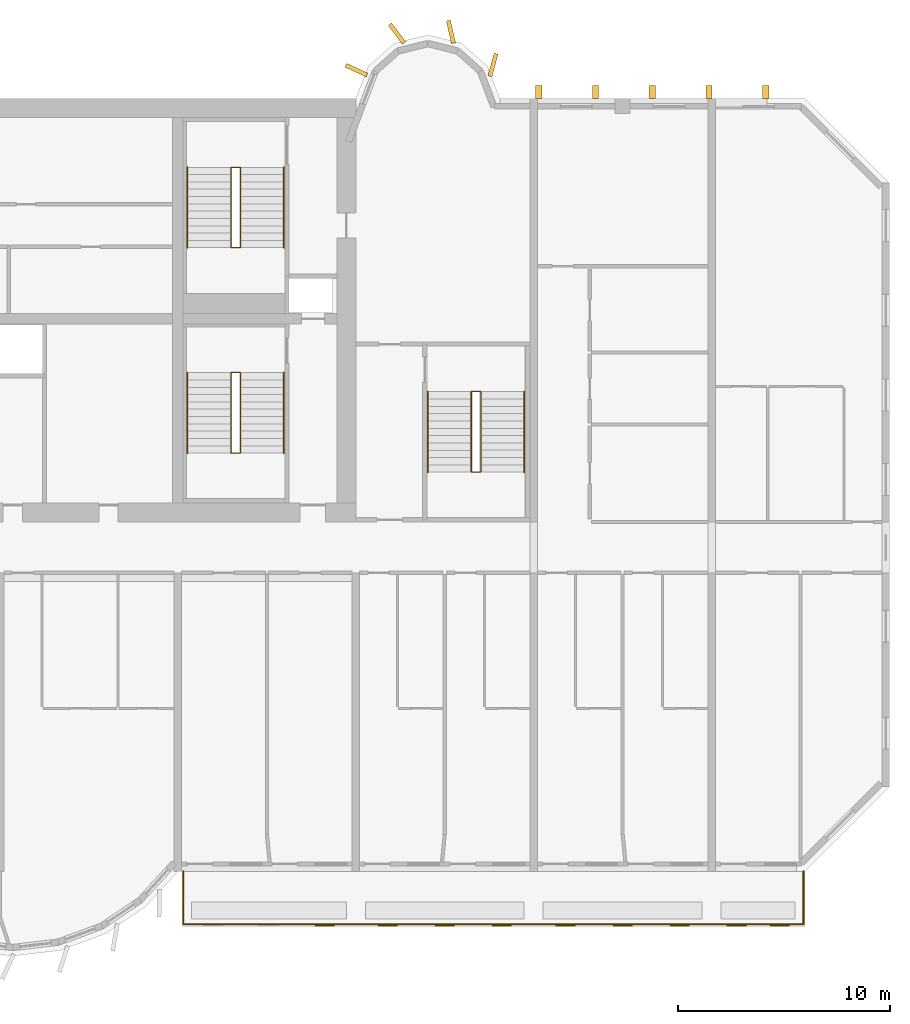
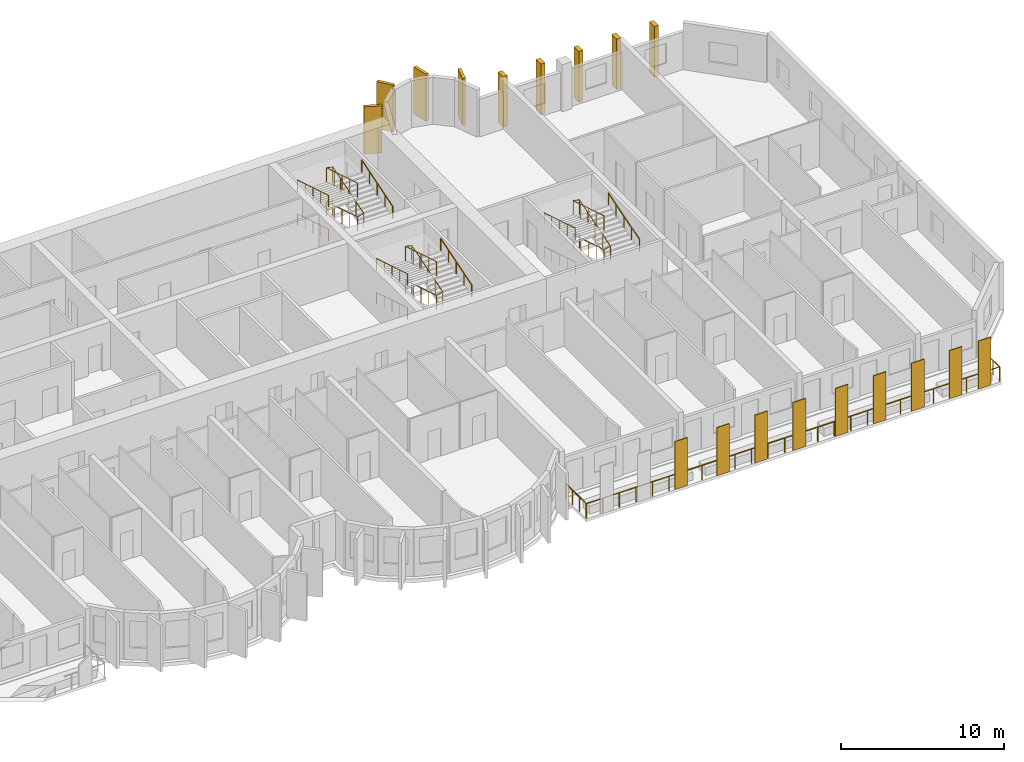
# One storey, part 13 of 14: 18 coverings, 13 railings.
"""IFC4 building model written with IfcOpenShell, lengths in metres."""

from ifc_helpers import new_model, si_unit, direction, frame, origin, origin_2d, place, context, subcontext, project, spatial, rectangle, circle, extrude, source, transform, mapped, material, layer, layer_set, material_profile, profile_set, type_object, element, save


model = new_model("IFC4")

# Units and contexts
model_context = context("Model", 3, precision=1e-05, world=origin(), true_north=direction((0.0, 1.0)))
body_context = subcontext(model_context, "Body", "Model", "MODEL_VIEW")
ifc_project = project(units=[si_unit("LENGTHUNIT", "METRE"), si_unit("AREAUNIT", "SQUARE_METRE"), si_unit("VOLUMEUNIT", "CUBIC_METRE"), si_unit("PLANEANGLEUNIT", "RADIAN"), si_unit("MASSUNIT", "GRAM", prefix="KILO")], contexts=[model_context])

# Site, building, storey
site_placement = place(None, origin())
site = spatial("IfcSite", under=ifc_project, at=site_placement, CompositionType="ELEMENT")
building_placement = place(site_placement, origin())
building = spatial("IfcBuilding", under=site, at=building_placement, Name="Vanashikhar Sky Hotel", CompositionType="ELEMENT")
storey_placement = place(building_placement, frame((0.0, 0.0, 125.60009765625)))
storey = spatial("IfcBuildingStorey", under=building, at=storey_placement, Name="L30", CompositionType="ELEMENT", Elevation=125.60009765625)

# Railing
ifc_material_1 = material(Name="Stainless steel 316", Category="steel")
railing_type_1 = type_object("IfcRailingType", Name="Balcony guard 1100", PredefinedType="GUARDRAIL", material=ifc_material_1)
shared_shape_1 = source(origin(), body_context, "Body", "SweptSolid", [
    extrude(circle(Radius=0.02392578125, at=origin_2d()), frame((0.0, 0.0, 1.076171875), z_axis=(0.0, -1.0, 0.0), x_axis=(1.0, 0.0, 0.0)), (0.0, 0.0, 1.0), 2.5),
    extrude(circle(Radius=0.02392578125, at=origin_2d()), frame((0.0, -2.5, 1.076171875), z_axis=(1.0, 0.0, 0.0), x_axis=(0.0, 1.0, 0.0)), (0.0, 0.0, 1.0), 29.280029296875),
    extrude(circle(Radius=0.02392578125, at=origin_2d()), frame((29.280029296875, -2.5, 1.076171875), z_axis=(0.0, 1.0, 0.0), x_axis=(-1.0, 0.0, 0.0)), (0.0, 0.0, 1.0), 2.5),
    extrude(circle(Radius=0.02099609375, at=origin_2d()), origin(), (0.0, 0.0, 1.0), 1.052001953125),
    extrude(circle(Radius=0.02099609375, at=origin_2d()), frame((0.0, -0.833251953125, 0.0)), (0.0, 0.0, 1.0), 1.052001953125),
    extrude(circle(Radius=0.02099609375, at=origin_2d()), frame((0.0, -1.666748046875, 0.0)), (0.0, 0.0, 1.0), 1.052001953125),
    extrude(circle(Radius=0.02099609375, at=origin_2d()), frame((0.0, -2.5, 0.0)), (0.0, 0.0, 1.0), 1.052001953125),
    extrude(circle(Radius=0.02099609375, at=origin_2d()), frame((1.171142578125, -2.5, 0.0)), (0.0, 0.0, 1.0), 1.052001953125),
    extrude(circle(Radius=0.02099609375, at=origin_2d()), frame((2.34228515625, -2.5, 0.0)), (0.0, 0.0, 1.0), 1.052001953125),
    extrude(circle(Radius=0.02099609375, at=origin_2d()), frame((3.513671875, -2.5, 0.0)), (0.0, 0.0, 1.0), 1.052001953125),
    extrude(circle(Radius=0.02099609375, at=origin_2d()), frame((4.684814453125, -2.5, 0.0)), (0.0, 0.0, 1.0), 1.052001953125),
    extrude(circle(Radius=0.02099609375, at=origin_2d()), frame((5.85595703125, -2.5, 0.0)), (0.0, 0.0, 1.0), 1.052001953125),
    extrude(circle(Radius=0.02099609375, at=origin_2d()), frame((7.027099609375, -2.5, 0.0)), (0.0, 0.0, 1.0), 1.052001953125),
    extrude(circle(Radius=0.02099609375, at=origin_2d()), frame((8.198486328125, -2.5, 0.0)), (0.0, 0.0, 1.0), 1.052001953125),
    extrude(circle(Radius=0.02099609375, at=origin_2d()), frame((9.36962890625, -2.5, 0.0)), (0.0, 0.0, 1.0), 1.052001953125),
    extrude(circle(Radius=0.02099609375, at=origin_2d()), frame((10.540771484375, -2.5, 0.0)), (0.0, 0.0, 1.0), 1.052001953125),
    extrude(circle(Radius=0.02099609375, at=origin_2d()), frame((11.7119140625, -2.5, 0.0)), (0.0, 0.0, 1.0), 1.052001953125),
    extrude(circle(Radius=0.02099609375, at=origin_2d()), frame((12.88330078125, -2.5, 0.0)), (0.0, 0.0, 1.0), 1.052001953125),
    extrude(circle(Radius=0.02099609375, at=origin_2d()), frame((14.054443359375, -2.5, 0.0)), (0.0, 0.0, 1.0), 1.052001953125),
    extrude(circle(Radius=0.02099609375, at=origin_2d()), frame((15.2255859375, -2.5, 0.0)), (0.0, 0.0, 1.0), 1.052001953125),
    extrude(circle(Radius=0.02099609375, at=origin_2d()), frame((16.396728515625, -2.5, 0.0)), (0.0, 0.0, 1.0), 1.052001953125),
    extrude(circle(Radius=0.02099609375, at=origin_2d()), frame((17.568115234375, -2.5, 0.0)), (0.0, 0.0, 1.0), 1.052001953125),
    extrude(circle(Radius=0.02099609375, at=origin_2d()), frame((18.7392578125, -2.5, 0.0)), (0.0, 0.0, 1.0), 1.052001953125),
    extrude(circle(Radius=0.02099609375, at=origin_2d()), frame((19.910400390625, -2.5, 0.0)), (0.0, 0.0, 1.0), 1.052001953125),
    extrude(circle(Radius=0.02099609375, at=origin_2d()), frame((21.08154296875, -2.5, 0.0)), (0.0, 0.0, 1.0), 1.052001953125),
    extrude(circle(Radius=0.02099609375, at=origin_2d()), frame((22.2529296875, -2.5, 0.0)), (0.0, 0.0, 1.0), 1.052001953125),
    extrude(circle(Radius=0.02099609375, at=origin_2d()), frame((23.424072265625, -2.5, 0.0)), (0.0, 0.0, 1.0), 1.052001953125),
    extrude(circle(Radius=0.02099609375, at=origin_2d()), frame((24.59521484375, -2.5, 0.0)), (0.0, 0.0, 1.0), 1.052001953125),
    extrude(circle(Radius=0.02099609375, at=origin_2d()), frame((25.766357421875, -2.5, 0.0)), (0.0, 0.0, 1.0), 1.052001953125),
    extrude(circle(Radius=0.02099609375, at=origin_2d()), frame((26.937744140625, -2.5, 0.0)), (0.0, 0.0, 1.0), 1.052001953125),
    extrude(circle(Radius=0.02099609375, at=origin_2d()), frame((28.10888671875, -2.5, 0.0)), (0.0, 0.0, 1.0), 1.052001953125),
    extrude(circle(Radius=0.02099609375, at=origin_2d()), frame((29.280029296875, -2.5, 0.0)), (0.0, 0.0, 1.0), 1.052001953125),
    extrude(circle(Radius=0.02099609375, at=origin_2d()), frame((29.280029296875, -1.666748046875, 0.0)), (0.0, 0.0, 1.0), 1.052001953125),
    extrude(circle(Radius=0.02099609375, at=origin_2d()), frame((29.280029296875, -0.833251953125, 0.0)), (0.0, 0.0, 1.0), 1.052001953125),
    extrude(circle(Radius=0.02099609375, at=origin_2d()), frame((29.280029296875, 0.0, 0.0)), (0.0, 0.0, 1.0), 1.052001953125),
])
railing_1_placement = place(storey_placement, frame((67.4599609375, 5.5, -0.050048828125)))
element("IfcRailing", 1, at=railing_1_placement, inside=storey, type_object=railing_type_1, Name="Balcony guard", PredefinedType="GUARDRAIL", context=body_context, shape_type="MappedRepresentation", body=[
    mapped(shared_shape_1, transform((0.0, 0.0, 0.0), scale=1.0)),
])

# Coverings
ifc_material_2 = material(Name="Terracotta", Category="masonry")
ifc_layer = layer(ifc_material_2, 0.06005859375)
ifc_layer_set = layer_set([ifc_layer], Name="Terracotta baguette screen")
covering_type_1 = type_object("IfcCoveringType", Name="Terracotta baguette screen", PredefinedType="CLADDING", material=ifc_layer_set)
shared_shape_2 = source(origin(), body_context, "Body", "SweptSolid", [
    extrude(rectangle(XDim=0.89990234375, YDim=0.06005859375, at=origin_2d()), origin(), (0.0, 0.0, 1.0), 3.60009765625),
])
for number, where, z_axis, x_axis, name in (
    (2, (74.13330078125, 2.929931640625, -0.050048828125), (0.0, 0.0, 1.0), (1.0, 0.0, 0.0), "Terracotta screen"),
    (3, (77.10009765625, 2.929931640625, -0.050048828125), (0.0, 0.0, 1.0), (1.0, 0.0, 0.0), "Terracotta screen"),
    (4, (79.800048828125, 2.929931640625, -0.050048828125), (0.0, 0.0, 1.0), (1.0, 0.0, 0.0), "Terracotta screen"),
    (5, (82.5, 2.929931640625, -0.050048828125), (0.0, 0.0, 1.0), (1.0, 0.0, 0.0), "Terracotta screen"),
    (6, (85.5, 2.929931640625, -0.050048828125), (0.0, 0.0, 1.0), (1.0, 0.0, 0.0), "Terracotta screen"),
    (7, (88.199951171875, 2.929931640625, -0.050048828125), (0.0, 0.0, 1.0), (1.0, 0.0, 0.0), "Terracotta screen"),
    (8, (90.89990234375, 2.929931640625, -0.050048828125), (0.0, 0.0, 1.0), (1.0, 0.0, 0.0), "Terracotta screen"),
    (9, (93.574951171875, 2.929931640625, -0.050048828125), (0.0, 0.0, 1.0), (1.0, 0.0, 0.0), "Terracotta screen"),
    (10, (95.625, 2.929931640625, -0.050048828125), (0.0, 0.0, 1.0), (1.0, 0.0, 0.0), "Terracotta screen"),
):
    element("IfcCovering", number, at=place(storey_placement, frame(where, z_axis=z_axis, x_axis=x_axis)), inside=storey, type_object=covering_type_1, Name=name, PredefinedType="CLADDING", context=body_context, shape_type="MappedRepresentation", body=[
        mapped(shared_shape_2, transform((0.0, 0.0, 0.0), scale=1.0)),
    ])
ifc_material_3 = material(Name="Concrete M60 dark", Category="concrete")
ifc_material_profile_1 = material_profile(ifc_material_3, rectangle(XDim=1.10009765625, YDim=0.199951171875, at=origin_2d()))
ifc_profile_set_1 = profile_set([ifc_material_profile_1], Name="Rear lobe fin 1100 x 200")
covering_type_2 = type_object("IfcCoveringType", Name="Rear lobe fin 1100 x 200", PredefinedType="CLADDING", material=ifc_profile_set_1)
shared_shape_3 = source(origin(), body_context, "Body", "SweptSolid", [
    extrude(rectangle(XDim=1.10009765625, YDim=0.199951171875, at=origin_2d()), origin(), (0.0, 0.0, 1.0), 3.52001953125),
])
for number, where, z_axis, x_axis, name in (
    (11, (75.63037109375, 43.33447265625, 0.0), (0.0, 0.0, 1.0), (-0.908004291068, 0.418960866193, 0.0), "Fin R2-1"),
    (12, (77.5380859375, 45.06640625, 0.0), (0.0, 0.0, 1.0), (-0.602065892195, 0.798446404874, 0.0), "Fin R2-2"),
    (13, (80.08984375, 45.1455078125, 0.0), (0.0, 0.0, 1.0), (-0.224644935864, 0.974440687159, 0.0), "Fin R2-3"),
    (14, (82.0791015625, 43.580078125, 0.0), (0.0, 0.0, 1.0), (0.262711264409, 0.964874495234, 0.0), "Fin R2-4"),
):
    element("IfcCovering", number, at=place(storey_placement, frame(where, z_axis=z_axis, x_axis=x_axis)), inside=storey, type_object=covering_type_2, Name=name, PredefinedType="CLADDING", context=body_context, shape_type="MappedRepresentation", body=[
        mapped(shared_shape_3, transform((0.0, 0.0, 0.0), scale=1.0)),
    ])
ifc_material_profile_2 = material_profile(ifc_material_3, rectangle(XDim=0.60009765625, YDim=0.300048828125, at=origin_2d()))
ifc_profile_set_2 = profile_set([ifc_material_profile_2], Name="Rear rib 600 x 300")
covering_type_3 = type_object("IfcCoveringType", Name="Rear rib 600 x 300", PredefinedType="CLADDING", material=ifc_profile_set_2)
shared_shape_4 = source(origin(), body_context, "Body", "SweptSolid", [
    extrude(rectangle(XDim=0.60009765625, YDim=0.300048828125, at=origin_2d()), origin(), (0.0, 0.0, 1.0), 3.800048828125),
])
for number, where, z_axis, x_axis, name in (
    (15, (84.239990234375, 42.300048828125, -0.280029296875), (0.0, 0.0, 1.0), (0.0, 1.0, 0.0), "Rear rib"),
    (16, (86.919921875, 42.300048828125, -0.280029296875), (0.0, 0.0, 1.0), (0.0, 1.0, 0.0), "Rear rib"),
    (17, (89.60009765625, 42.300048828125, -0.280029296875), (0.0, 0.0, 1.0), (0.0, 1.0, 0.0), "Rear rib"),
    (18, (92.280029296875, 42.300048828125, -0.280029296875), (0.0, 0.0, 1.0), (0.0, 1.0, 0.0), "Rear rib"),
    (19, (94.9599609375, 42.300048828125, -0.280029296875), (0.0, 0.0, 1.0), (0.0, 1.0, 0.0), "Rear rib"),
):
    element("IfcCovering", number, at=place(storey_placement, frame(where, z_axis=z_axis, x_axis=x_axis)), inside=storey, type_object=covering_type_3, Name=name, PredefinedType="CLADDING", context=body_context, shape_type="MappedRepresentation", body=[
        mapped(shared_shape_4, transform((0.0, 0.0, 0.0), scale=1.0)),
    ])

# Railings
ifc_material_4 = material(Name="Steel S355", Category="steel")
railing_type_2 = type_object("IfcRailingType", Name="Stair handrail 900", PredefinedType="HANDRAIL", material=ifc_material_4)
shared_shape_5 = source(origin(), body_context, "Body", "SweptSolid", [
    extrude(circle(Radius=0.02392578125, at=origin_2d()), frame((0.0, 0.0, 0.8759765625), z_axis=(0.0, 0.95635109408, 0.292220096591), x_axis=(-1.0, 0.0, 0.0)), (0.0, 0.0, 1.0), 3.973388671875),
    extrude(circle(Radius=0.02099609375, at=origin_2d()), origin(), (0.0, 0.0, 1.0), 0.851806640625),
    extrude(circle(Radius=0.02099609375, at=origin_2d()), frame((0.0, 0.949951171875, 0.290283203125)), (0.0, 0.0, 1.0), 0.851806640625),
    extrude(circle(Radius=0.02099609375, at=origin_2d()), frame((0.0, 1.89990234375, 0.58056640625)), (0.0, 0.0, 1.0), 0.851806640625),
    extrude(circle(Radius=0.02099609375, at=origin_2d()), frame((0.0, 2.85009765625, 0.870849609375)), (0.0, 0.0, 1.0), 0.851806640625),
    extrude(circle(Radius=0.02099609375, at=origin_2d()), frame((0.0, 3.800048828125, 1.1611328125)), (0.0, 0.0, 1.0), 0.851806640625),
])
for number, where, name in (
    (20, (72.199951171875, 25.25, 1.3720703125), "Exit stair 2 handrail"),
    (21, (72.199951171875, 34.949951171875, 1.3720703125), "Exit stair 6 handrail"),
):
    element("IfcRailing", number, at=place(storey_placement, frame(where)), inside=storey, type_object=railing_type_2, Name=name, PredefinedType="HANDRAIL", context=body_context, shape_type="MappedRepresentation", body=[
        mapped(shared_shape_5, transform((0.0, 0.0, 0.0), scale=1.0)),
    ])
shared_shape_6 = source(origin(), body_context, "Body", "SweptSolid", [
    extrude(circle(Radius=0.02392578125, at=origin_2d()), frame((0.0, 0.0, 0.8759765625), z_axis=(0.0, -0.95635109408, 0.292220096591), x_axis=(1.0, 0.0, 0.0)), (0.0, 0.0, 1.0), 3.973388671875),
    extrude(circle(Radius=0.02099609375, at=origin_2d()), origin(), (0.0, 0.0, 1.0), 0.851806640625),
    extrude(circle(Radius=0.02099609375, at=origin_2d()), frame((0.0, -0.949951171875, 0.290283203125)), (0.0, 0.0, 1.0), 0.851806640625),
    extrude(circle(Radius=0.02099609375, at=origin_2d()), frame((0.0, -1.89990234375, 0.58056640625)), (0.0, 0.0, 1.0), 0.851806640625),
    extrude(circle(Radius=0.02099609375, at=origin_2d()), frame((0.0, -2.85009765625, 0.870849609375)), (0.0, 0.0, 1.0), 0.851806640625),
    extrude(circle(Radius=0.02099609375, at=origin_2d()), frame((0.0, -3.800048828125, 1.1611328125)), (0.0, 0.0, 1.0), 0.851806640625),
])
for number, where, name in (
    (22, (67.64990234375, 29.050048828125, 0.10546875), "Exit stair 2 handrail"),
    (23, (67.64990234375, 29.050048828125, 2.638671875), "Exit stair 2 handrail"),
    (24, (67.64990234375, 38.75, 0.10546875), "Exit stair 6 handrail"),
    (25, (67.64990234375, 38.75, 2.638671875), "Exit stair 6 handrail"),
):
    element("IfcRailing", number, at=place(storey_placement, frame(where)), inside=storey, type_object=railing_type_2, Name=name, PredefinedType="HANDRAIL", context=body_context, shape_type="MappedRepresentation", body=[
        mapped(shared_shape_6, transform((0.0, 0.0, 0.0), scale=1.0)),
    ])
railing_type_3 = type_object("IfcRailingType", Name="Stair guard 1100", PredefinedType="GUARDRAIL", material=ifc_material_4)
shared_shape_7 = source(origin(), body_context, "Body", "SweptSolid", [
    extrude(circle(Radius=0.02392578125, at=origin_2d()), frame((0.0, 0.0, 1.076171875), z_axis=(-0.973610808694, 0.0, 0.228214796178), x_axis=(0.0, -1.0, 0.0)), (0.0, 0.0, 1.0), 0.462158203125),
    extrude(circle(Radius=0.02392578125, at=origin_2d()), frame((-0.449951171875, 0.0, 1.181640625), z_axis=(0.0, -0.95635109408, 0.292220096591), x_axis=(1.0, 0.0, 0.0)), (0.0, 0.0, 1.0), 3.973388671875),
    extrude(circle(Radius=0.02392578125, at=origin_2d()), frame((-0.449951171875, -3.800048828125, 2.3427734375), z_axis=(0.973610808694, 0.0, 0.228214796178), x_axis=(0.0, 1.0, 0.0)), (0.0, 0.0, 1.0), 0.462158203125),
    extrude(circle(Radius=0.02392578125, at=origin_2d()), frame((0.0, -3.800048828125, 2.4482421875), z_axis=(0.0, 0.95635109408, 0.292220096591), x_axis=(-1.0, 0.0, 0.0)), (0.0, 0.0, 1.0), 3.973388671875),
    extrude(circle(Radius=0.02392578125, at=origin_2d()), frame((0.0, 0.0, 3.609375), z_axis=(-0.973610808694, 0.0, 0.228214796178), x_axis=(0.0, -1.0, 0.0)), (0.0, 0.0, 1.0), 0.462158203125),
    extrude(circle(Radius=0.02392578125, at=origin_2d()), frame((-0.449951171875, 0.0, 3.71484375), z_axis=(0.0, -0.95635109408, 0.292220096591), x_axis=(1.0, 0.0, 0.0)), (0.0, 0.0, 1.0), 3.973388671875),
    extrude(circle(Radius=0.02099609375, at=origin_2d()), origin(), (0.0, 0.0, 1.0), 1.052001953125),
    extrude(circle(Radius=0.02099609375, at=origin_2d()), frame((-0.449951171875, 0.0, 0.10546875)), (0.0, 0.0, 1.0), 1.052001953125),
    extrude(circle(Radius=0.02099609375, at=origin_2d()), frame((-0.449951171875, -0.949951171875, 0.395751953125)), (0.0, 0.0, 1.0), 1.052001953125),
    extrude(circle(Radius=0.02099609375, at=origin_2d()), frame((-0.449951171875, -1.89990234375, 0.68603515625)), (0.0, 0.0, 1.0), 1.052001953125),
    extrude(circle(Radius=0.02099609375, at=origin_2d()), frame((-0.449951171875, -2.85009765625, 0.976318359375)), (0.0, 0.0, 1.0), 1.052001953125),
    extrude(circle(Radius=0.02099609375, at=origin_2d()), frame((-0.449951171875, -3.800048828125, 1.2666015625)), (0.0, 0.0, 1.0), 1.052001953125),
    extrude(circle(Radius=0.02099609375, at=origin_2d()), frame((0.0, -3.800048828125, 1.3720703125)), (0.0, 0.0, 1.0), 1.052001953125),
    extrude(circle(Radius=0.02099609375, at=origin_2d()), frame((0.0, -2.85009765625, 1.662353515625)), (0.0, 0.0, 1.0), 1.052001953125),
    extrude(circle(Radius=0.02099609375, at=origin_2d()), frame((0.0, -1.89990234375, 1.95263671875)), (0.0, 0.0, 1.0), 1.052001953125),
    extrude(circle(Radius=0.02099609375, at=origin_2d()), frame((0.0, -0.949951171875, 2.242919921875)), (0.0, 0.0, 1.0), 1.052001953125),
    extrude(circle(Radius=0.02099609375, at=origin_2d()), frame((0.0, 0.0, 2.533203125)), (0.0, 0.0, 1.0), 1.052001953125),
    extrude(circle(Radius=0.02099609375, at=origin_2d()), frame((-0.449951171875, 0.0, 2.638671875)), (0.0, 0.0, 1.0), 1.052001953125),
    extrude(circle(Radius=0.02099609375, at=origin_2d()), frame((-0.449951171875, -0.949951171875, 2.928955078125)), (0.0, 0.0, 1.0), 1.052001953125),
    extrude(circle(Radius=0.02099609375, at=origin_2d()), frame((-0.449951171875, -1.89990234375, 3.21923828125)), (0.0, 0.0, 1.0), 1.052001953125),
    extrude(circle(Radius=0.02099609375, at=origin_2d()), frame((-0.449951171875, -2.85009765625, 3.509521484375)), (0.0, 0.0, 1.0), 1.052001953125),
    extrude(circle(Radius=0.02099609375, at=origin_2d()), frame((-0.449951171875, -3.800048828125, 3.7998046875)), (0.0, 0.0, 1.0), 1.052001953125),
])
for number, where, name in (
    (26, (70.14990234375, 29.050048828125, 0.0), "Exit stair 2 guard"),
    (27, (70.14990234375, 38.75, 0.0), "Exit stair 6 guard"),
):
    element("IfcRailing", number, at=place(storey_placement, frame(where)), inside=storey, type_object=railing_type_3, Name=name, PredefinedType="GUARDRAIL", context=body_context, shape_type="MappedRepresentation", body=[
        mapped(shared_shape_7, transform((0.0, 0.0, 0.0), scale=1.0)),
    ])
shared_shape_8 = source(origin(), body_context, "Body", "SweptSolid", [
    extrude(circle(Radius=0.02392578125, at=origin_2d()), frame((0.0, 0.0, 0.8759765625), z_axis=(0.0, 0.956345846891, 0.292237268557), x_axis=(-1.0, 0.0, 0.0)), (0.0, 0.0, 1.0), 3.97314453125),
    extrude(circle(Radius=0.02099609375, at=origin_2d()), origin(), (0.0, 0.0, 1.0), 0.851806640625),
    extrude(circle(Radius=0.02099609375, at=origin_2d()), frame((0.0, 0.949951171875, 0.290283203125)), (0.0, 0.0, 1.0), 0.851806640625),
    extrude(circle(Radius=0.02099609375, at=origin_2d()), frame((0.0, 1.89990234375, 0.58056640625)), (0.0, 0.0, 1.0), 0.851806640625),
    extrude(circle(Radius=0.02099609375, at=origin_2d()), frame((0.0, 2.849853515625, 0.870849609375)), (0.0, 0.0, 1.0), 0.851806640625),
    extrude(circle(Radius=0.02099609375, at=origin_2d()), frame((0.0, 3.7998046875, 1.1611328125)), (0.0, 0.0, 1.0), 0.851806640625),
])
railing_2_placement = place(storey_placement, frame((83.550048828125, 24.35009765625, 1.3720703125)))
element("IfcRailing", 28, at=railing_2_placement, inside=storey, type_object=railing_type_2, Name="Exit stair 4 handrail", PredefinedType="HANDRAIL", context=body_context, shape_type="MappedRepresentation", body=[
    mapped(shared_shape_8, transform((0.0, 0.0, 0.0), scale=1.0)),
])
shared_shape_9 = source(origin(), body_context, "Body", "SweptSolid", [
    extrude(circle(Radius=0.02392578125, at=origin_2d()), frame((0.0, 0.0, 0.8759765625), z_axis=(0.0, -0.956345846891, 0.292237268557), x_axis=(1.0, 0.0, 0.0)), (0.0, 0.0, 1.0), 3.97314453125),
    extrude(circle(Radius=0.02099609375, at=origin_2d()), origin(), (0.0, 0.0, 1.0), 0.851806640625),
    extrude(circle(Radius=0.02099609375, at=origin_2d()), frame((0.0, -0.949951171875, 0.290283203125)), (0.0, 0.0, 1.0), 0.851806640625),
    extrude(circle(Radius=0.02099609375, at=origin_2d()), frame((0.0, -1.89990234375, 0.58056640625)), (0.0, 0.0, 1.0), 0.851806640625),
    extrude(circle(Radius=0.02099609375, at=origin_2d()), frame((0.0, -2.849853515625, 0.870849609375)), (0.0, 0.0, 1.0), 0.851806640625),
    extrude(circle(Radius=0.02099609375, at=origin_2d()), frame((0.0, -3.7998046875, 1.1611328125)), (0.0, 0.0, 1.0), 0.851806640625),
])
for number, where, name in (
    (29, (79.0, 28.14990234375, 0.10546875), "Exit stair 4 handrail"),
    (30, (79.0, 28.14990234375, 2.638671875), "Exit stair 4 handrail"),
):
    element("IfcRailing", number, at=place(storey_placement, frame(where)), inside=storey, type_object=railing_type_2, Name=name, PredefinedType="HANDRAIL", context=body_context, shape_type="MappedRepresentation", body=[
        mapped(shared_shape_9, transform((0.0, 0.0, 0.0), scale=1.0)),
    ])
shared_shape_10 = source(origin(), body_context, "Body", "SweptSolid", [
    extrude(circle(Radius=0.02392578125, at=origin_2d()), frame((0.0, 0.0, 1.076171875), z_axis=(-0.973610808694, 0.0, 0.228214796178), x_axis=(0.0, -1.0, 0.0)), (0.0, 0.0, 1.0), 0.462158203125),
    extrude(circle(Radius=0.02392578125, at=origin_2d()), frame((-0.449951171875, 0.0, 1.181640625), z_axis=(0.0, -0.956345846891, 0.292237268557), x_axis=(1.0, 0.0, 0.0)), (0.0, 0.0, 1.0), 3.97314453125),
    extrude(circle(Radius=0.02392578125, at=origin_2d()), frame((-0.449951171875, -3.7998046875, 2.3427734375), z_axis=(0.973610808694, 0.0, 0.228214796178), x_axis=(0.0, 1.0, 0.0)), (0.0, 0.0, 1.0), 0.462158203125),
    extrude(circle(Radius=0.02392578125, at=origin_2d()), frame((0.0, -3.7998046875, 2.4482421875), z_axis=(0.0, 0.956345846891, 0.292237268557), x_axis=(-1.0, 0.0, 0.0)), (0.0, 0.0, 1.0), 3.97314453125),
    extrude(circle(Radius=0.02392578125, at=origin_2d()), frame((0.0, 0.0, 3.609375), z_axis=(-0.973610808694, 0.0, 0.228214796178), x_axis=(0.0, -1.0, 0.0)), (0.0, 0.0, 1.0), 0.462158203125),
    extrude(circle(Radius=0.02392578125, at=origin_2d()), frame((-0.449951171875, 0.0, 3.71484375), z_axis=(0.0, -0.956345846891, 0.292237268557), x_axis=(1.0, 0.0, 0.0)), (0.0, 0.0, 1.0), 3.97314453125),
    extrude(circle(Radius=0.02099609375, at=origin_2d()), origin(), (0.0, 0.0, 1.0), 1.052001953125),
    extrude(circle(Radius=0.02099609375, at=origin_2d()), frame((-0.449951171875, 0.0, 0.10546875)), (0.0, 0.0, 1.0), 1.052001953125),
    extrude(circle(Radius=0.02099609375, at=origin_2d()), frame((-0.449951171875, -0.949951171875, 0.395751953125)), (0.0, 0.0, 1.0), 1.052001953125),
    extrude(circle(Radius=0.02099609375, at=origin_2d()), frame((-0.449951171875, -1.89990234375, 0.68603515625)), (0.0, 0.0, 1.0), 1.052001953125),
    extrude(circle(Radius=0.02099609375, at=origin_2d()), frame((-0.449951171875, -2.849853515625, 0.976318359375)), (0.0, 0.0, 1.0), 1.052001953125),
    extrude(circle(Radius=0.02099609375, at=origin_2d()), frame((-0.449951171875, -3.7998046875, 1.2666015625)), (0.0, 0.0, 1.0), 1.052001953125),
    extrude(circle(Radius=0.02099609375, at=origin_2d()), frame((0.0, -3.7998046875, 1.3720703125)), (0.0, 0.0, 1.0), 1.052001953125),
    extrude(circle(Radius=0.02099609375, at=origin_2d()), frame((0.0, -2.849853515625, 1.662353515625)), (0.0, 0.0, 1.0), 1.052001953125),
    extrude(circle(Radius=0.02099609375, at=origin_2d()), frame((0.0, -1.89990234375, 1.95263671875)), (0.0, 0.0, 1.0), 1.052001953125),
    extrude(circle(Radius=0.02099609375, at=origin_2d()), frame((0.0, -0.949951171875, 2.242919921875)), (0.0, 0.0, 1.0), 1.052001953125),
    extrude(circle(Radius=0.02099609375, at=origin_2d()), frame((0.0, 0.0, 2.533203125)), (0.0, 0.0, 1.0), 1.052001953125),
    extrude(circle(Radius=0.02099609375, at=origin_2d()), frame((-0.449951171875, 0.0, 2.638671875)), (0.0, 0.0, 1.0), 1.052001953125),
    extrude(circle(Radius=0.02099609375, at=origin_2d()), frame((-0.449951171875, -0.949951171875, 2.928955078125)), (0.0, 0.0, 1.0), 1.052001953125),
    extrude(circle(Radius=0.02099609375, at=origin_2d()), frame((-0.449951171875, -1.89990234375, 3.21923828125)), (0.0, 0.0, 1.0), 1.052001953125),
    extrude(circle(Radius=0.02099609375, at=origin_2d()), frame((-0.449951171875, -2.849853515625, 3.509521484375)), (0.0, 0.0, 1.0), 1.052001953125),
    extrude(circle(Radius=0.02099609375, at=origin_2d()), frame((-0.449951171875, -3.7998046875, 3.7998046875)), (0.0, 0.0, 1.0), 1.052001953125),
])
railing_3_placement = place(storey_placement, frame((81.5, 28.14990234375, 0.0)))
element("IfcRailing", 31, at=railing_3_placement, inside=storey, type_object=railing_type_3, Name="Exit stair 4 guard", PredefinedType="GUARDRAIL", context=body_context, shape_type="MappedRepresentation", body=[
    mapped(shared_shape_10, transform((0.0, 0.0, 0.0), scale=1.0)),
])

save(model, "model.ifc")
